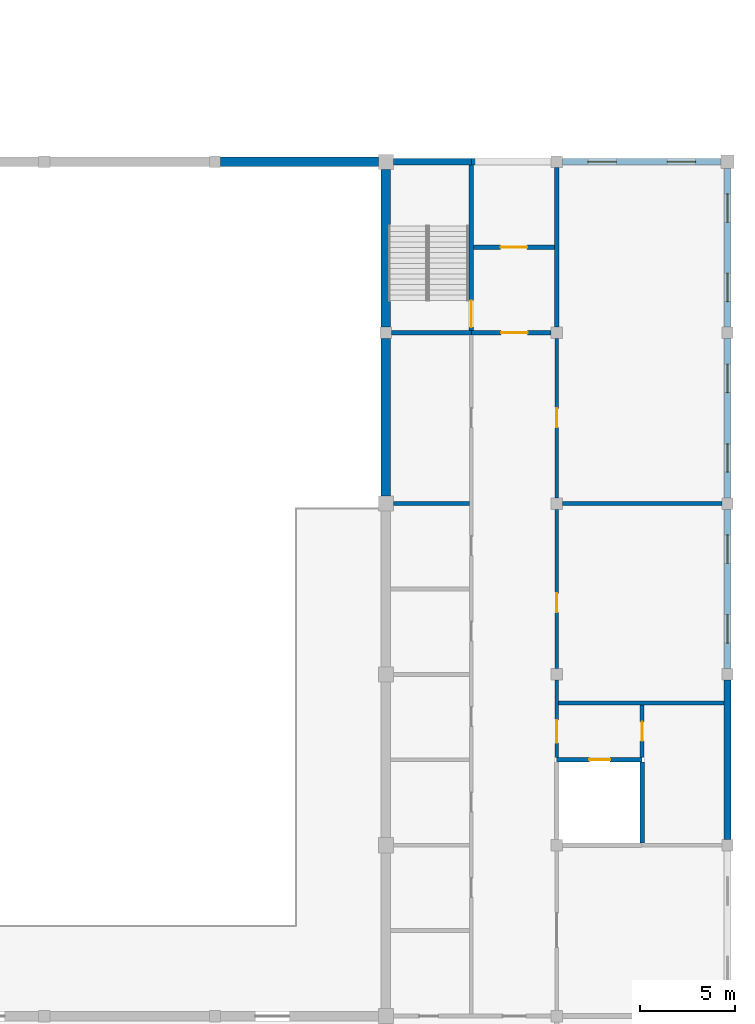
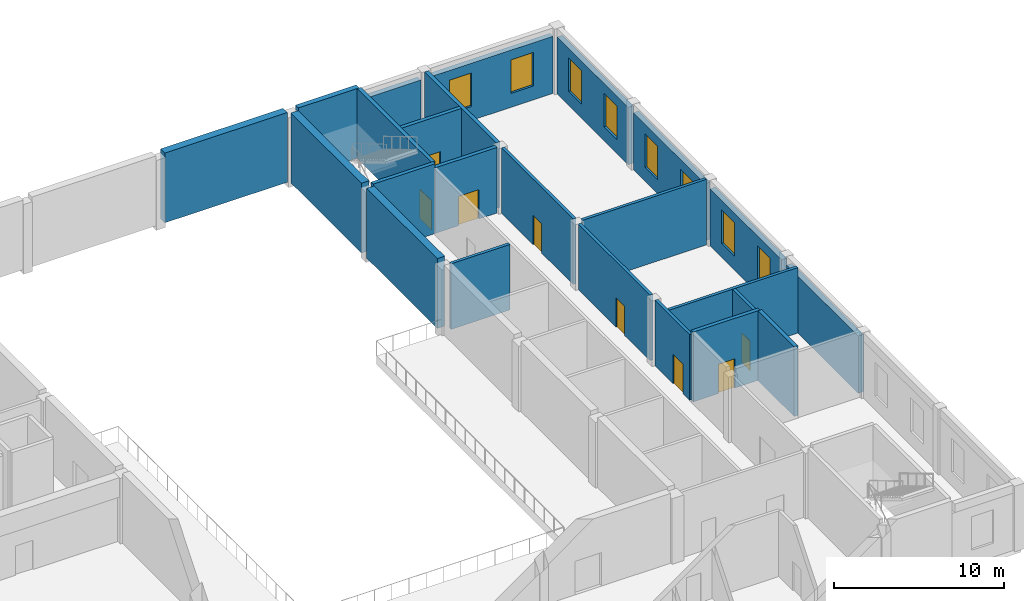
# One storey, part 26 of 34: 24 walls, 8 doors, 8 windows, 16 openings.
"""IFC4 building model written with IfcOpenShell, lengths in metres."""

from ifc_helpers import new_model, si_unit, direction, frame, frame_2d, origin, place, context, subcontext, project, spatial, rectangle, extrude, material, layer, layer_set, type_object, element, fill, save


model = new_model("IFC4")

# Units and contexts
model_context = context("Model", 3, precision=1e-05, world=origin(), true_north=direction((0.0, 1.0)))
body_context = subcontext(model_context, "Body", "Model", "MODEL_VIEW")
ifc_project = project(units=[si_unit("LENGTHUNIT", "METRE"), si_unit("AREAUNIT", "SQUARE_METRE"), si_unit("VOLUMEUNIT", "CUBIC_METRE"), si_unit("PLANEANGLEUNIT", "RADIAN"), si_unit("MASSUNIT", "GRAM", prefix="KILO")], contexts=[model_context])

# Site, building, storey
site_placement = place(None, origin())
site = spatial("IfcSite", under=ifc_project, at=site_placement, CompositionType="ELEMENT")
building_placement = place(site_placement, origin())
building = spatial("IfcBuilding", under=site, at=building_placement, Name="Firuza Court", CompositionType="ELEMENT")
storey_placement = place(building_placement, frame((0.0, 0.0, 14.0)))
storey = spatial("IfcBuildingStorey", under=building, at=storey_placement, Name="L02", CompositionType="ELEMENT", Elevation=14.0)

# Walls
ifc_material_1 = material(Name="Blockwork", Category="masonry")
ifc_layer_1 = layer(ifc_material_1, 0.199951171875)
ifc_layer_set_1 = layer_set([ifc_layer_1], Name="Blockwork")
wall_type_1 = type_object("IfcWallType", Name="HALL PARTITION 200", PredefinedType="STANDARD", material=ifc_layer_set_1)
wall_1_placement = place(storey_placement, frame((144.10009765625, 16.5, 0.0), z_axis=(0.0, 0.0, 1.0), x_axis=(1.0, 0.0, 0.0)))
element("IfcWall", 1, at=wall_1_placement, inside=storey, type_object=wall_type_1, Name="Wall L02.26", PredefinedType="STANDARD", context=body_context, shape_type="SweptSolid", body=[
    extrude(rectangle(XDim=8.724853515625, YDim=0.199951171875, at=frame_2d((4.3623046875, 0.0))), origin(), (0.0, 0.0, 1.0), 4.699951171875),
])
wall_2_placement = place(storey_placement, frame((135.39990234375, 27.0, 0.0), z_axis=(0.0, 0.0, 1.0), x_axis=(1.0, 0.0, 0.0)))
element("IfcWall", 2, at=wall_2_placement, inside=storey, type_object=wall_type_1, Name="Wall L02.38", PredefinedType="STANDARD", context=body_context, shape_type="SweptSolid", body=[
    extrude(rectangle(XDim=4.0, YDim=0.199951171875, at=frame_2d((2.0, 0.0))), origin(), (0.0, 0.0, 1.0), 4.699951171875),
])
wall_3_placement = place(storey_placement, frame((144.300048828125, 27.0, 0.0), z_axis=(0.0, 0.0, 1.0), x_axis=(1.0, 0.0, 0.0)))
element("IfcWall", 3, at=wall_3_placement, inside=storey, type_object=wall_type_1, Name="Wall L02.39", PredefinedType="STANDARD", context=body_context, shape_type="SweptSolid", body=[
    extrude(rectangle(XDim=8.39990234375, YDim=0.199951171875, at=frame_2d((4.199951171875, 0.0))), origin(), (0.0, 0.0, 1.0), 4.699951171875),
])

# Wall, opening, door
wall_4_placement = place(storey_placement, frame((144.0, 13.625, 0.0), z_axis=(0.0, 0.0, 1.0), x_axis=(0.0, 1.0, 0.0)))
wall_4 = element("IfcWall", 4, at=wall_4_placement, inside=storey, type_object=wall_type_1, Name="Wall L02.84", PredefinedType="STANDARD", context=body_context, shape_type="SweptSolid", body=[
    extrude(rectangle(XDim=4.074951171875, YDim=0.199951171875, at=frame_2d((2.03759765625, 0.0))), origin(), (0.0, 0.0, 1.0), 4.699951171875),
])
opening_1_placement = place(wall_4_placement, frame((0.77001953125, 0.0, 0.0)))
opening_1 = element("IfcOpeningElement", 5, at=opening_1_placement, cuts=wall_4, Name="Opening H094", PredefinedType="OPENING", context=body_context, shape_type="SweptSolid", body=[
    extrude(rectangle(XDim=1.199951171875, YDim=2.10009765625, at=frame_2d((0.60009765625, 1.050048828125))), frame((0.0, 0.11181640625, 0.0), z_axis=(0.0, -1.0, 0.0), x_axis=(1.0, 0.0, 0.0)), (0.0, 0.0, 1.0), 0.223876953125),
])
ifc_material_2 = material(Name="Timber", Category="wood")
door_type_1 = type_object("IfcDoorType", Name="HALL DOOR 1200X2100", OperationType="SINGLE_SWING_LEFT", PredefinedType="DOOR", material=ifc_material_2)
door_1_placement = place(opening_1_placement, frame((1.199951171875, 0.0, 0.0), z_axis=(0.0, 0.0, 1.0), x_axis=(-1.0, 0.0, 0.0)))
door_1 = element("IfcDoor", 6, at=door_1_placement, inside=storey, type_object=door_type_1, Name="Door Goods lobby to Backstage corridor", OperationType="SINGLE_SWING_RIGHT", OverallHeight=2.10009765625, OverallWidth=1.199951171875, PredefinedType="DOOR", context=body_context, shape_type="SweptSolid", body=[
    extrude(rectangle(XDim=1.199951171875, YDim=2.10009765625, at=frame_2d((0.60009765625, 1.050048828125))), frame((0.0, 0.02490234375, 0.0), z_axis=(0.0, -1.0, 0.0), x_axis=(1.0, 0.0, 0.0)), (0.0, 0.0, 1.0), 0.050048828125),
])
fill(opening_1, door_1)

wall_5_placement = place(storey_placement, frame((144.0, 18.300048828125, 0.0), z_axis=(0.0, 0.0, 1.0), x_axis=(0.0, 1.0, 0.0)))
wall_5 = element("IfcWall", 7, at=wall_5_placement, inside=storey, type_object=wall_type_1, Name="Wall L02.85", PredefinedType="STANDARD", context=body_context, shape_type="SweptSolid", body=[
    extrude(rectangle(XDim=8.39990234375, YDim=0.199951171875, at=frame_2d((4.199951171875, 0.0))), origin(), (0.0, 0.0, 1.0), 4.699951171875),
])
opening_2_placement = place(wall_5_placement, frame((2.969970703125, 0.0, 0.0)))
opening_2 = element("IfcOpeningElement", 8, at=opening_2_placement, cuts=wall_5, Name="Opening H116", PredefinedType="OPENING", context=body_context, shape_type="SweptSolid", body=[
    extrude(rectangle(XDim=1.0, YDim=2.10009765625, at=frame_2d((0.5, 1.050048828125))), frame((0.0, 0.11181640625, 0.0), z_axis=(0.0, -1.0, 0.0), x_axis=(1.0, 0.0, 0.0)), (0.0, 0.0, 1.0), 0.223876953125),
])
ifc_material_3 = material(Name="Timber", Category="wood")
door_type_2 = type_object("IfcDoorType", Name="HALL DOOR 1000X2100", OperationType="SINGLE_SWING_LEFT", PredefinedType="DOOR", material=ifc_material_3)
door_2_placement = place(opening_2_placement, origin())
door_2 = element("IfcDoor", 9, at=door_2_placement, inside=storey, type_object=door_type_2, Name="Door Artists' lounge", OperationType="SINGLE_SWING_LEFT", OverallHeight=2.10009765625, OverallWidth=1.0, PredefinedType="DOOR", context=body_context, shape_type="SweptSolid", body=[
    extrude(rectangle(XDim=1.0, YDim=2.10009765625, at=frame_2d((0.5, 1.050048828125))), frame((0.0, 0.02490234375, 0.0), z_axis=(0.0, -1.0, 0.0), x_axis=(1.0, 0.0, 0.0)), (0.0, 0.0, 1.0), 0.050048828125),
])
fill(opening_2, door_2)

wall_6_placement = place(storey_placement, frame((144.0, 27.300048828125, 0.0), z_axis=(0.0, 0.0, 1.0), x_axis=(0.0, 1.0, 0.0)))
wall_6 = element("IfcWall", 10, at=wall_6_placement, inside=storey, type_object=wall_type_1, Name="Wall L02.86", PredefinedType="STANDARD", context=body_context, shape_type="SweptSolid", body=[
    extrude(rectangle(XDim=8.39990234375, YDim=0.199951171875, at=frame_2d((4.199951171875, 0.0))), origin(), (0.0, 0.0, 1.0), 4.699951171875),
])
opening_3_placement = place(wall_6_placement, frame((3.719970703125, 0.0, 0.0)))
opening_3 = element("IfcOpeningElement", 11, at=opening_3_placement, cuts=wall_6, Name="Opening H117", PredefinedType="OPENING", context=body_context, shape_type="SweptSolid", body=[
    extrude(rectangle(XDim=1.0, YDim=2.10009765625, at=frame_2d((0.5, 1.050048828125))), frame((0.0, 0.11181640625, 0.0), z_axis=(0.0, -1.0, 0.0), x_axis=(1.0, 0.0, 0.0)), (0.0, 0.0, 1.0), 0.223876953125),
])
door_3_placement = place(opening_3_placement, frame((1.0, 0.0, 0.0), z_axis=(0.0, 0.0, 1.0), x_axis=(-1.0, 0.0, 0.0)))
door_3 = element("IfcDoor", 12, at=door_3_placement, inside=storey, type_object=door_type_2, Name="Door Administration offices", OperationType="SINGLE_SWING_RIGHT", OverallHeight=2.10009765625, OverallWidth=1.0, PredefinedType="DOOR", context=body_context, shape_type="SweptSolid", body=[
    extrude(rectangle(XDim=1.0, YDim=2.10009765625, at=frame_2d((0.5, 1.050048828125))), frame((0.0, 0.02490234375, 0.0), z_axis=(0.0, -1.0, 0.0), x_axis=(1.0, 0.0, 0.0)), (0.0, 0.0, 1.0), 0.050048828125),
])
fill(opening_3, door_3)

wall_7_placement = place(storey_placement, frame((148.5, 13.625, 0.0), z_axis=(0.0, 0.0, 1.0), x_axis=(0.0, 1.0, 0.0)))
wall_7 = element("IfcWall", 13, at=wall_7_placement, inside=storey, type_object=wall_type_1, Name="Wall L02.90", PredefinedType="STANDARD", context=body_context, shape_type="SweptSolid", body=[
    extrude(rectangle(XDim=2.77490234375, YDim=0.199951171875, at=frame_2d((1.387451171875, 0.0))), origin(), (0.0, 0.0, 1.0), 4.699951171875),
])
opening_4_placement = place(wall_7_placement, frame((0.8701171875, 0.0, 0.0)))
opening_4 = element("IfcOpeningElement", 14, at=opening_4_placement, cuts=wall_7, Name="Opening H115", PredefinedType="OPENING", context=body_context, shape_type="SweptSolid", body=[
    extrude(rectangle(XDim=1.0, YDim=2.10009765625, at=frame_2d((0.5, 1.050048828125))), frame((0.0, 0.11181640625, 0.0), z_axis=(0.0, -1.0, 0.0), x_axis=(1.0, 0.0, 0.0)), (0.0, 0.0, 1.0), 0.223876953125),
])
door_4_placement = place(opening_4_placement, frame((1.0, 0.0, 0.0), z_axis=(0.0, 0.0, 1.0), x_axis=(-1.0, 0.0, 0.0)))
door_4 = element("IfcDoor", 15, at=door_4_placement, inside=storey, type_object=door_type_2, Name="Door Scenery store", OperationType="SINGLE_SWING_LEFT", OverallHeight=2.10009765625, OverallWidth=1.0, PredefinedType="DOOR", context=body_context, shape_type="SweptSolid", body=[
    extrude(rectangle(XDim=1.0, YDim=2.10009765625, at=frame_2d((0.5, 1.050048828125))), frame((0.0, 0.02490234375, 0.0), z_axis=(0.0, -1.0, 0.0), x_axis=(1.0, 0.0, 0.0)), (0.0, 0.0, 1.0), 0.050048828125),
])
fill(opening_4, door_4)

ifc_material_4 = material(Name="Concrete C40/50", Category="concrete")
ifc_layer_2 = layer(ifc_material_4, 0.25)
ifc_layer_set_2 = layer_set([ifc_layer_2], Name="Concrete C40/50")
wall_type_2 = type_object("IfcWallType", Name="HALL RC WALL 250", PredefinedType="STANDARD", material=ifc_layer_set_2)
wall_8_placement = place(storey_placement, frame((144.0, 13.5, 0.0), z_axis=(0.0, 0.0, 1.0), x_axis=(1.0, 0.0, 0.0)))
wall_8 = element("IfcWall", 16, at=wall_8_placement, inside=storey, type_object=wall_type_2, Name="Wall L02.25", PredefinedType="STANDARD", context=body_context, shape_type="SweptSolid", body=[
    extrude(rectangle(XDim=4.5, YDim=0.25, at=frame_2d((2.25, 0.0))), origin(), (0.0, 0.0, 1.0), 5.0),
])
opening_5_placement = place(wall_8_placement, frame((1.719970703125, 0.0, 0.0)))
opening_5 = element("IfcOpeningElement", 17, at=opening_5_placement, cuts=wall_8, Name="Opening LD", PredefinedType="OPENING", context=body_context, shape_type="SweptSolid", body=[
    extrude(rectangle(XDim=1.10009765625, YDim=2.10009765625, at=frame_2d((0.550048828125, 1.050048828125))), frame((0.0, 0.136962890625, 0.0), z_axis=(0.0, -1.0, 0.0), x_axis=(1.0, 0.0, 0.0)), (0.0, 0.0, 1.0), 0.27392578125),
])
ifc_material_5 = material(Name="Stainless steel", Category="steel")
door_type_3 = type_object("IfcDoorType", Name="HALL LANDING DOOR 1100X2100", OperationType="SLIDING_TO_LEFT", PredefinedType="DOOR", material=ifc_material_5)
door_5_placement = place(opening_5_placement, origin())
door_5 = element("IfcDoor", 18, at=door_5_placement, inside=storey, type_object=door_type_3, Name="Landing door GL1 L02", OperationType="SLIDING_TO_LEFT", OverallHeight=2.10009765625, OverallWidth=1.10009765625, PredefinedType="DOOR", context=body_context, shape_type="SweptSolid", body=[
    extrude(rectangle(XDim=1.10009765625, YDim=2.10009765625, at=frame_2d((0.550048828125, 1.050048828125))), frame((0.0, 0.02490234375, 0.0), z_axis=(0.0, -1.0, 0.0), x_axis=(1.0, 0.0, 0.0)), (0.0, 0.0, 1.0), 0.050048828125),
])
fill(opening_5, door_5)

# Wall
wall_9_placement = place(storey_placement, frame((135.300048828125, 36.0, 0.0), z_axis=(0.0, 0.0, 1.0), x_axis=(1.0, 0.0, 0.0)))
element("IfcWall", 19, at=wall_9_placement, inside=storey, type_object=wall_type_2, Name="Wall L02.40", PredefinedType="STANDARD", context=body_context, shape_type="SweptSolid", body=[
    extrude(rectangle(XDim=4.199951171875, YDim=0.25, at=frame_2d((2.10009765625, 0.0))), origin(), (0.0, 0.0, 1.0), 5.0),
])

# Wall, opening, door
wall_10_placement = place(storey_placement, frame((139.5, 36.0, 0.0), z_axis=(0.0, 0.0, 1.0), x_axis=(1.0, 0.0, 0.0)))
wall_10 = element("IfcWall", 20, at=wall_10_placement, inside=storey, type_object=wall_type_2, Name="Wall L02.41", PredefinedType="STANDARD", context=body_context, shape_type="SweptSolid", body=[
    extrude(rectangle(XDim=4.199951171875, YDim=0.25, at=frame_2d((2.10009765625, 0.0))), origin(), (0.0, 0.0, 1.0), 4.699951171875),
])
opening_6_placement = place(wall_10_placement, frame((1.570068359375, 0.0, 0.0)))
opening_6 = element("IfcOpeningElement", 21, at=opening_6_placement, cuts=wall_10, Name="Opening H088", PredefinedType="OPENING", context=body_context, shape_type="SweptSolid", body=[
    extrude(rectangle(XDim=1.39990234375, YDim=2.10009765625, at=frame_2d((0.699951171875, 1.050048828125))), frame((0.0, 0.136962890625, 0.0), z_axis=(0.0, -1.0, 0.0), x_axis=(1.0, 0.0, 0.0)), (0.0, 0.0, 1.0), 0.27392578125),
])
ifc_material_6 = material(Name="Timber", Category="wood")
door_type_4 = type_object("IfcDoorType", Name="HALL DOOR 1400X2100", OperationType="DOUBLE_DOOR_SINGLE_SWING", PredefinedType="DOOR", material=ifc_material_6)
door_6_placement = place(opening_6_placement, origin())
door_6 = element("IfcDoor", 22, at=door_6_placement, inside=storey, type_object=door_type_4, Name="Exit door stair H4 lobby", OperationType="DOUBLE_DOOR_SINGLE_SWING", OverallHeight=2.10009765625, OverallWidth=1.39990234375, PredefinedType="DOOR", context=body_context, shape_type="SweptSolid", body=[
    extrude(rectangle(XDim=1.39990234375, YDim=2.10009765625, at=frame_2d((0.699951171875, 1.050048828125))), frame((0.0, 0.02490234375, 0.0), z_axis=(0.0, -1.0, 0.0), x_axis=(1.0, 0.0, 0.0)), (0.0, 0.0, 1.0), 0.050048828125),
])
fill(opening_6, door_6)

wall_11_placement = place(storey_placement, frame((139.625, 40.5, 0.0), z_axis=(0.0, 0.0, 1.0), x_axis=(1.0, 0.0, 0.0)))
wall_11 = element("IfcWall", 23, at=wall_11_placement, inside=storey, type_object=wall_type_2, Name="Wall L02.42", PredefinedType="STANDARD", context=body_context, shape_type="SweptSolid", body=[
    extrude(rectangle(XDim=4.25, YDim=0.25, at=frame_2d((2.125, 0.0))), origin(), (0.0, 0.0, 1.0), 4.699951171875),
])
opening_7_placement = place(wall_11_placement, frame((1.419921875, 0.0, 0.0)))
opening_7 = element("IfcOpeningElement", 24, at=opening_7_placement, cuts=wall_11, Name="Opening H089", PredefinedType="OPENING", context=body_context, shape_type="SweptSolid", body=[
    extrude(rectangle(XDim=1.39990234375, YDim=2.10009765625, at=frame_2d((0.699951171875, 1.050048828125))), frame((0.0, 0.136962890625, 0.0), z_axis=(0.0, -1.0, 0.0), x_axis=(1.0, 0.0, 0.0)), (0.0, 0.0, 1.0), 0.27392578125),
])
door_7_placement = place(opening_7_placement, origin())
door_7 = element("IfcDoor", 25, at=door_7_placement, inside=storey, type_object=door_type_4, Name="Exit door stair H4 passage", OperationType="DOUBLE_DOOR_SINGLE_SWING", OverallHeight=2.10009765625, OverallWidth=1.39990234375, PredefinedType="DOOR", context=body_context, shape_type="SweptSolid", body=[
    extrude(rectangle(XDim=1.39990234375, YDim=2.10009765625, at=frame_2d((0.699951171875, 1.050048828125))), frame((0.0, 0.02490234375, 0.0), z_axis=(0.0, -1.0, 0.0), x_axis=(1.0, 0.0, 0.0)), (0.0, 0.0, 1.0), 0.050048828125),
])
fill(opening_7, door_7)

wall_12_placement = place(storey_placement, frame((139.5, 36.125, 0.0), z_axis=(0.0, 0.0, 1.0), x_axis=(0.0, 1.0, 0.0)))
wall_12 = element("IfcWall", 26, at=wall_12_placement, inside=storey, type_object=wall_type_2, Name="Wall L02.80", PredefinedType="STANDARD", context=body_context, shape_type="SweptSolid", body=[
    extrude(rectangle(XDim=8.699951171875, YDim=0.25, at=frame_2d((4.35009765625, 0.0))), origin(), (0.0, 0.0, 1.0), 5.0),
])
opening_8_placement = place(wall_12_placement, frame((0.169921875, 0.0, 0.0)))
opening_8 = element("IfcOpeningElement", 27, at=opening_8_placement, cuts=wall_12, Name="Opening H087", PredefinedType="OPENING", context=body_context, shape_type="SweptSolid", body=[
    extrude(rectangle(XDim=1.39990234375, YDim=2.10009765625, at=frame_2d((0.699951171875, 1.050048828125))), frame((0.0, 0.136962890625, 0.0), z_axis=(0.0, -1.0, 0.0), x_axis=(1.0, 0.0, 0.0)), (0.0, 0.0, 1.0), 0.27392578125),
])
door_8_placement = place(opening_8_placement, origin())
door_8 = element("IfcDoor", 28, at=door_8_placement, inside=storey, type_object=door_type_4, Name="Stair H4 door", OperationType="DOUBLE_DOOR_SINGLE_SWING", OverallHeight=2.10009765625, OverallWidth=1.39990234375, PredefinedType="DOOR", context=body_context, shape_type="SweptSolid", body=[
    extrude(rectangle(XDim=1.39990234375, YDim=2.10009765625, at=frame_2d((0.699951171875, 1.050048828125))), frame((0.0, 0.02490234375, 0.0), z_axis=(0.0, -1.0, 0.0), x_axis=(1.0, 0.0, 0.0)), (0.0, 0.0, 1.0), 0.050048828125),
])
fill(opening_8, door_8)

# Walls
wall_13_placement = place(storey_placement, frame((144.0, 36.300048828125, 0.0), z_axis=(0.0, 0.0, 1.0), x_axis=(0.0, 1.0, 0.0)))
element("IfcWall", 29, at=wall_13_placement, inside=storey, type_object=wall_type_2, Name="Wall L02.87", PredefinedType="STANDARD", context=body_context, shape_type="SweptSolid", body=[
    extrude(rectangle(XDim=8.39990234375, YDim=0.25, at=frame_2d((4.199951171875, 0.0))), origin(), (0.0, 0.0, 1.0), 4.699951171875),
])
wall_14_placement = place(storey_placement, frame((148.5, 9.125, 0.0), z_axis=(0.0, 0.0, 1.0), x_axis=(0.0, 1.0, 0.0)))
element("IfcWall", 30, at=wall_14_placement, inside=storey, type_object=wall_type_2, Name="Wall L02.89", PredefinedType="STANDARD", context=body_context, shape_type="SweptSolid", body=[
    extrude(rectangle(XDim=4.25, YDim=0.25, at=frame_2d((2.125, 0.0))), origin(), (0.0, 0.0, 1.0), 5.0),
])
ifc_layer_3 = layer(ifc_material_4, 0.5)
ifc_layer_set_3 = layer_set([ifc_layer_3], Name="Concrete C40/50")
wall_type_3 = type_object("IfcWallType", Name="HALL RC WALL 500", PredefinedType="STANDARD", material=ifc_layer_set_3)
for number, where, z_axis, x_axis, name in (
    (31, (135.0, 27.39990234375, 0.0), (0.0, 0.0, 1.0), (0.0, 1.0, 0.0), "Wall L02.76"),
    (32, (135.0, 36.300048828125, 0.0), (0.0, 0.0, 1.0), (0.0, 1.0, 0.0), "Wall L02.77"),
):
    element("IfcWall", number, at=place(storey_placement, frame(where, z_axis=z_axis, x_axis=x_axis)), inside=storey, type_object=wall_type_3, Name=name, PredefinedType="STANDARD", context=body_context, shape_type="SweptSolid", body=[
        extrude(rectangle(XDim=8.300048828125, YDim=0.5, at=frame_2d((4.14990234375, 0.0))), origin(), (0.0, 0.0, 1.0), 5.0),
    ])
ifc_material_7 = material(Name="Concrete C30/37", Category="concrete")
ifc_layer_4 = layer(ifc_material_7, 0.300048828125)
ifc_material_8 = material(Name="Ceramic tile", Category="ceramic")
ifc_layer_5 = layer(ifc_material_8, 0.050048828125)
ifc_layer_set_4 = layer_set([ifc_layer_4, ifc_layer_5], Name="Concrete C30/37")
wall_type_4 = type_object("IfcWallType", Name="HALL TILE CLAD WALL 350", PredefinedType="STANDARD", material=ifc_layer_set_4)
wall_15_placement = place(storey_placement, frame((126.300048828125, 45.0, 0.0), z_axis=(0.0, 0.0, 1.0), x_axis=(1.0, 0.0, 0.0)))
element("IfcWall", 33, at=wall_15_placement, inside=storey, type_object=wall_type_4, Name="Wall L02.45", PredefinedType="STANDARD", context=body_context, shape_type="SweptSolid", body=[
    extrude(rectangle(XDim=8.300048828125, YDim=0.5, at=frame_2d((4.14990234375, 0.0))), origin(), (0.0, 0.0, 1.0), 5.0),
])
wall_16_placement = place(storey_placement, frame((135.39990234375, 45.0, 0.0), z_axis=(0.0, 0.0, 1.0), x_axis=(1.0, 0.0, 0.0)))
element("IfcWall", 34, at=wall_16_placement, inside=storey, type_object=wall_type_4, Name="Wall L02.46", PredefinedType="STANDARD", context=body_context, shape_type="SweptSolid", body=[
    extrude(rectangle(XDim=4.10009765625, YDim=0.35009765625, at=frame_2d((2.050048828125, 0.0))), origin(), (0.0, 0.0, 1.0), 5.0),
])
wall_17_placement = place(storey_placement, frame((139.5, 45.0, 0.0), z_axis=(0.0, 0.0, 1.0), x_axis=(1.0, 0.0, 0.0)))
element("IfcWall", 35, at=wall_17_placement, inside=storey, type_object=wall_type_4, Name="Wall L02.47", PredefinedType="STANDARD", context=body_context, shape_type="SweptSolid", body=[
    extrude(rectangle(XDim=4.199951171875, YDim=0.35009765625, at=frame_2d((2.10009765625, 0.0))), origin(), (0.0, 0.0, 1.0), 4.10009765625),
])

# Wall, openings, windows
wall_18_placement = place(storey_placement, frame((144.300048828125, 45.0, 0.0), z_axis=(0.0, 0.0, 1.0), x_axis=(1.0, 0.0, 0.0)))
wall_18 = element("IfcWall", 36, at=wall_18_placement, inside=storey, type_object=wall_type_4, Name="Wall L02.48", PredefinedType="STANDARD", context=body_context, shape_type="SweptSolid", body=[
    extrude(rectangle(XDim=8.349853515625, YDim=0.35009765625, at=frame_2d((4.1748046875, 0.0))), origin(), (0.0, 0.0, 1.0), 4.10009765625),
])
opening_9_placement = place(wall_18_placement, frame((1.33740234375, 0.0, 1.0)))
opening_9 = element("IfcOpeningElement", 37, at=opening_9_placement, cuts=wall_18, Name="Opening HW-1", PredefinedType="OPENING", context=body_context, shape_type="SweptSolid", body=[
    extrude(rectangle(XDim=1.5, YDim=2.39990234375, at=frame_2d((0.75, 1.199951171875))), frame((0.0, 0.18701171875, 0.0), z_axis=(0.0, -1.0, 0.0), x_axis=(1.0, 0.0, 0.0)), (0.0, 0.0, 1.0), 0.3740234375),
])
opening_10_placement = place(wall_18_placement, frame((5.512451171875, 0.0, 1.0)))
opening_10 = element("IfcOpeningElement", 38, at=opening_10_placement, cuts=wall_18, Name="Opening HW-1", PredefinedType="OPENING", context=body_context, shape_type="SweptSolid", body=[
    extrude(rectangle(XDim=1.5, YDim=2.39990234375, at=frame_2d((0.75, 1.199951171875))), frame((0.0, 0.18701171875, 0.0), z_axis=(0.0, -1.0, 0.0), x_axis=(1.0, 0.0, 0.0)), (0.0, 0.0, 1.0), 0.3740234375),
])
ifc_material_9 = material(Name="Aluminium", Category="aluminium")
window_type = type_object("IfcWindowType", Name="HALL WINDOW 1500X2400", PartitioningType="SINGLE_PANEL", PredefinedType="WINDOW", material=ifc_material_9)
window_1_placement = place(opening_9_placement, origin())
window_1 = element("IfcWindow", 39, at=window_1_placement, inside=storey, type_object=window_type, Name="Window L02.56", OverallHeight=2.39990234375, OverallWidth=1.5, PartitioningType="SINGLE_PANEL", PredefinedType="WINDOW", context=body_context, shape_type="SweptSolid", body=[
    extrude(rectangle(XDim=1.5, YDim=2.39990234375, at=frame_2d((0.75, 1.199951171875))), frame((0.0, 0.030029296875, 0.0), z_axis=(0.0, -1.0, 0.0), x_axis=(1.0, 0.0, 0.0)), (0.0, 0.0, 1.0), 0.06005859375),
])
fill(opening_9, window_1)
window_2_placement = place(opening_10_placement, origin())
window_2 = element("IfcWindow", 40, at=window_2_placement, inside=storey, type_object=window_type, Name="Window L02.57", OverallHeight=2.39990234375, OverallWidth=1.5, PartitioningType="SINGLE_PANEL", PredefinedType="WINDOW", context=body_context, shape_type="SweptSolid", body=[
    extrude(rectangle(XDim=1.5, YDim=2.39990234375, at=frame_2d((0.75, 1.199951171875))), frame((0.0, 0.030029296875, 0.0), z_axis=(0.0, -1.0, 0.0), x_axis=(1.0, 0.0, 0.0)), (0.0, 0.0, 1.0), 0.06005859375),
])
fill(opening_10, window_2)

# Wall
wall_19_placement = place(storey_placement, frame((153.0, 9.300048828125, 0.0), z_axis=(0.0, 0.0, 1.0), x_axis=(0.0, 1.0, 0.0)))
element("IfcWall", 41, at=wall_19_placement, inside=storey, type_object=wall_type_4, Name="Wall L02.93", PredefinedType="STANDARD", context=body_context, shape_type="SweptSolid", body=[
    extrude(rectangle(XDim=8.39990234375, YDim=0.35009765625, at=frame_2d((4.199951171875, 0.0))), origin(), (0.0, 0.0, 1.0), 4.10009765625),
])

# Wall, openings, windows
wall_20_placement = place(storey_placement, frame((153.0, 18.300048828125, 0.0), z_axis=(0.0, 0.0, 1.0), x_axis=(0.0, 1.0, 0.0)))
wall_20 = element("IfcWall", 42, at=wall_20_placement, inside=storey, type_object=wall_type_4, Name="Wall L02.94", PredefinedType="STANDARD", context=body_context, shape_type="SweptSolid", body=[
    extrude(rectangle(XDim=8.39990234375, YDim=0.35009765625, at=frame_2d((4.199951171875, 0.0))), origin(), (0.0, 0.0, 1.0), 4.10009765625),
])
opening_11_placement = place(wall_20_placement, frame((1.35009765625, 0.0, 1.0)))
opening_11 = element("IfcOpeningElement", 43, at=opening_11_placement, cuts=wall_20, Name="Opening HW-1", PredefinedType="OPENING", context=body_context, shape_type="SweptSolid", body=[
    extrude(rectangle(XDim=1.5, YDim=2.39990234375, at=frame_2d((0.75, 1.199951171875))), frame((0.0, 0.18701171875, 0.0), z_axis=(0.0, -1.0, 0.0), x_axis=(1.0, 0.0, 0.0)), (0.0, 0.0, 1.0), 0.3740234375),
])
opening_12_placement = place(wall_20_placement, frame((5.550048828125, 0.0, 1.0)))
opening_12 = element("IfcOpeningElement", 44, at=opening_12_placement, cuts=wall_20, Name="Opening HW-1", PredefinedType="OPENING", context=body_context, shape_type="SweptSolid", body=[
    extrude(rectangle(XDim=1.5, YDim=2.39990234375, at=frame_2d((0.75, 1.199951171875))), frame((0.0, 0.18701171875, 0.0), z_axis=(0.0, -1.0, 0.0), x_axis=(1.0, 0.0, 0.0)), (0.0, 0.0, 1.0), 0.3740234375),
])
window_3_placement = place(opening_11_placement, origin())
window_3 = element("IfcWindow", 45, at=window_3_placement, inside=storey, type_object=window_type, Name="Window L02.70", OverallHeight=2.39990234375, OverallWidth=1.5, PartitioningType="SINGLE_PANEL", PredefinedType="WINDOW", context=body_context, shape_type="SweptSolid", body=[
    extrude(rectangle(XDim=1.5, YDim=2.39990234375, at=frame_2d((0.75, 1.199951171875))), frame((0.0, 0.030029296875, 0.0), z_axis=(0.0, -1.0, 0.0), x_axis=(1.0, 0.0, 0.0)), (0.0, 0.0, 1.0), 0.06005859375),
])
fill(opening_11, window_3)
window_4_placement = place(opening_12_placement, origin())
window_4 = element("IfcWindow", 46, at=window_4_placement, inside=storey, type_object=window_type, Name="Window L02.71", OverallHeight=2.39990234375, OverallWidth=1.5, PartitioningType="SINGLE_PANEL", PredefinedType="WINDOW", context=body_context, shape_type="SweptSolid", body=[
    extrude(rectangle(XDim=1.5, YDim=2.39990234375, at=frame_2d((0.75, 1.199951171875))), frame((0.0, 0.030029296875, 0.0), z_axis=(0.0, -1.0, 0.0), x_axis=(1.0, 0.0, 0.0)), (0.0, 0.0, 1.0), 0.06005859375),
])
fill(opening_12, window_4)

wall_21_placement = place(storey_placement, frame((153.0, 27.300048828125, 0.0), z_axis=(0.0, 0.0, 1.0), x_axis=(0.0, 1.0, 0.0)))
wall_21 = element("IfcWall", 47, at=wall_21_placement, inside=storey, type_object=wall_type_4, Name="Wall L02.95", PredefinedType="STANDARD", context=body_context, shape_type="SweptSolid", body=[
    extrude(rectangle(XDim=8.39990234375, YDim=0.35009765625, at=frame_2d((4.199951171875, 0.0))), origin(), (0.0, 0.0, 1.0), 4.10009765625),
])
opening_13_placement = place(wall_21_placement, frame((1.35009765625, 0.0, 1.0)))
opening_13 = element("IfcOpeningElement", 48, at=opening_13_placement, cuts=wall_21, Name="Opening HW-1", PredefinedType="OPENING", context=body_context, shape_type="SweptSolid", body=[
    extrude(rectangle(XDim=1.5, YDim=2.39990234375, at=frame_2d((0.75, 1.199951171875))), frame((0.0, 0.18701171875, 0.0), z_axis=(0.0, -1.0, 0.0), x_axis=(1.0, 0.0, 0.0)), (0.0, 0.0, 1.0), 0.3740234375),
])
opening_14_placement = place(wall_21_placement, frame((5.550048828125, 0.0, 1.0)))
opening_14 = element("IfcOpeningElement", 49, at=opening_14_placement, cuts=wall_21, Name="Opening HW-1", PredefinedType="OPENING", context=body_context, shape_type="SweptSolid", body=[
    extrude(rectangle(XDim=1.5, YDim=2.39990234375, at=frame_2d((0.75, 1.199951171875))), frame((0.0, 0.18701171875, 0.0), z_axis=(0.0, -1.0, 0.0), x_axis=(1.0, 0.0, 0.0)), (0.0, 0.0, 1.0), 0.3740234375),
])
window_5_placement = place(opening_13_placement, origin())
window_5 = element("IfcWindow", 50, at=window_5_placement, inside=storey, type_object=window_type, Name="Window L02.72", OverallHeight=2.39990234375, OverallWidth=1.5, PartitioningType="SINGLE_PANEL", PredefinedType="WINDOW", context=body_context, shape_type="SweptSolid", body=[
    extrude(rectangle(XDim=1.5, YDim=2.39990234375, at=frame_2d((0.75, 1.199951171875))), frame((0.0, 0.030029296875, 0.0), z_axis=(0.0, -1.0, 0.0), x_axis=(1.0, 0.0, 0.0)), (0.0, 0.0, 1.0), 0.06005859375),
])
fill(opening_13, window_5)
window_6_placement = place(opening_14_placement, origin())
window_6 = element("IfcWindow", 51, at=window_6_placement, inside=storey, type_object=window_type, Name="Window L02.73", OverallHeight=2.39990234375, OverallWidth=1.5, PartitioningType="SINGLE_PANEL", PredefinedType="WINDOW", context=body_context, shape_type="SweptSolid", body=[
    extrude(rectangle(XDim=1.5, YDim=2.39990234375, at=frame_2d((0.75, 1.199951171875))), frame((0.0, 0.030029296875, 0.0), z_axis=(0.0, -1.0, 0.0), x_axis=(1.0, 0.0, 0.0)), (0.0, 0.0, 1.0), 0.06005859375),
])
fill(opening_14, window_6)

wall_22_placement = place(storey_placement, frame((153.0, 36.300048828125, 0.0), z_axis=(0.0, 0.0, 1.0), x_axis=(0.0, 1.0, 0.0)))
wall_22 = element("IfcWall", 52, at=wall_22_placement, inside=storey, type_object=wall_type_4, Name="Wall L02.96", PredefinedType="STANDARD", context=body_context, shape_type="SweptSolid", body=[
    extrude(rectangle(XDim=8.349853515625, YDim=0.35009765625, at=frame_2d((4.1748046875, 0.0))), origin(), (0.0, 0.0, 1.0), 4.10009765625),
])
opening_15_placement = place(wall_22_placement, frame((1.33740234375, 0.0, 1.0)))
opening_15 = element("IfcOpeningElement", 53, at=opening_15_placement, cuts=wall_22, Name="Opening HW-1", PredefinedType="OPENING", context=body_context, shape_type="SweptSolid", body=[
    extrude(rectangle(XDim=1.5, YDim=2.39990234375, at=frame_2d((0.75, 1.199951171875))), frame((0.0, 0.18701171875, 0.0), z_axis=(0.0, -1.0, 0.0), x_axis=(1.0, 0.0, 0.0)), (0.0, 0.0, 1.0), 0.3740234375),
])
opening_16_placement = place(wall_22_placement, frame((5.512451171875, 0.0, 1.0)))
opening_16 = element("IfcOpeningElement", 54, at=opening_16_placement, cuts=wall_22, Name="Opening HW-1", PredefinedType="OPENING", context=body_context, shape_type="SweptSolid", body=[
    extrude(rectangle(XDim=1.5, YDim=2.39990234375, at=frame_2d((0.75, 1.199951171875))), frame((0.0, 0.18701171875, 0.0), z_axis=(0.0, -1.0, 0.0), x_axis=(1.0, 0.0, 0.0)), (0.0, 0.0, 1.0), 0.3740234375),
])
window_7_placement = place(opening_15_placement, origin())
window_7 = element("IfcWindow", 55, at=window_7_placement, inside=storey, type_object=window_type, Name="Window L02.74", OverallHeight=2.39990234375, OverallWidth=1.5, PartitioningType="SINGLE_PANEL", PredefinedType="WINDOW", context=body_context, shape_type="SweptSolid", body=[
    extrude(rectangle(XDim=1.5, YDim=2.39990234375, at=frame_2d((0.75, 1.199951171875))), frame((0.0, 0.030029296875, 0.0), z_axis=(0.0, -1.0, 0.0), x_axis=(1.0, 0.0, 0.0)), (0.0, 0.0, 1.0), 0.06005859375),
])
fill(opening_15, window_7)
window_8_placement = place(opening_16_placement, origin())
window_8 = element("IfcWindow", 56, at=window_8_placement, inside=storey, type_object=window_type, Name="Window L02.75", OverallHeight=2.39990234375, OverallWidth=1.5, PartitioningType="SINGLE_PANEL", PredefinedType="WINDOW", context=body_context, shape_type="SweptSolid", body=[
    extrude(rectangle(XDim=1.5, YDim=2.39990234375, at=frame_2d((0.75, 1.199951171875))), frame((0.0, 0.030029296875, 0.0), z_axis=(0.0, -1.0, 0.0), x_axis=(1.0, 0.0, 0.0)), (0.0, 0.0, 1.0), 0.06005859375),
])
fill(opening_16, window_8)

save(model, "model.ifc")
